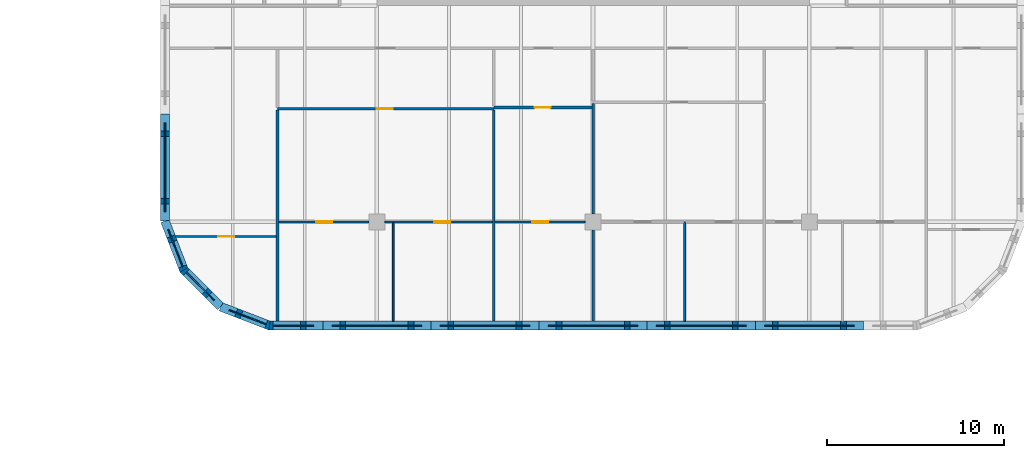
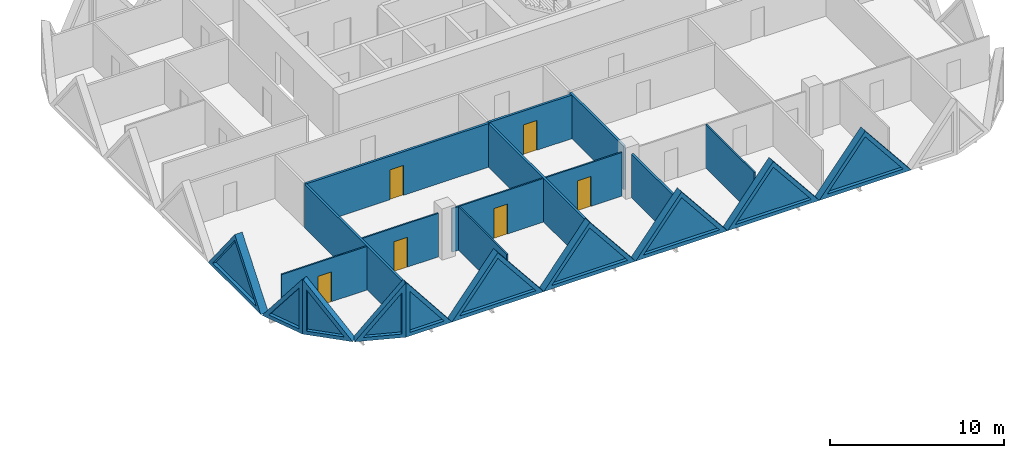
# One storey, part 11 of 19: 22 walls, 10 plates, 6 doors, 16 openings.
"""IFC4 building model written with IfcOpenShell, lengths in metres."""

from ifc_helpers import new_model, si_unit, direction, frame, frame_2d, origin, place, context, subcontext, project, spatial, polyline, rectangle, outline, extrude, faceted_brep, source, transform, mapped, material, layer, layer_set, type_object, element, fill, save


model = new_model("IFC4")

# Units and contexts
model_context = context("Model", 3, precision=1e-05, world=origin(), true_north=direction((0.0, 1.0)))
body_context = subcontext(model_context, "Body", "Model", "MODEL_VIEW")
ifc_project = project(units=[si_unit("LENGTHUNIT", "METRE"), si_unit("AREAUNIT", "SQUARE_METRE"), si_unit("VOLUMEUNIT", "CUBIC_METRE"), si_unit("PLANEANGLEUNIT", "RADIAN"), si_unit("MASSUNIT", "GRAM", prefix="KILO")], contexts=[model_context])

# Site, building, storey
site_placement = place(None, origin())
site = spatial("IfcSite", under=ifc_project, at=site_placement, CompositionType="ELEMENT")
building_placement = place(site_placement, origin())
building = spatial("IfcBuilding", under=site, at=building_placement, Name="Tessera Gate Towers", CompositionType="ELEMENT")
storey_placement = place(building_placement, frame((0.0, 0.0, 25.800048828125)))
storey = spatial("IfcBuildingStorey", under=building, at=storey_placement, Name="L05", CompositionType="ELEMENT", Elevation=25.800048828125)

# Walls
ifc_material_1 = material(Name="Gypsum board on steel studs", Category="steel")
ifc_layer_1 = layer(ifc_material_1, 0.10009765625)
ifc_layer_set_1 = layer_set([ifc_layer_1], Name="PARTITION 100")
wall_type_1 = type_object("IfcWallType", Name="PARTITION 100", PredefinedType="PARTITIONING", material=ifc_layer_set_1)
wall_1_placement = place(storey_placement, frame((98.527099609375, 18.800048828125, 0.0), z_axis=(0.0, 0.0, 1.0), x_axis=(0.0, 1.0, 0.0)))
element("IfcWall", 1, at=wall_1_placement, inside=storey, type_object=wall_type_1, Name="T2-L05-PW-002", PredefinedType="PARTITIONING", context=body_context, shape_type="SweptSolid", body=[
    extrude(rectangle(XDim=5.549072265625, YDim=0.10009765625, at=frame_2d((2.7744140625, 0.0))), origin(), (0.0, 0.0, 1.0), 3.06689453125),
])
wall_2_placement = place(storey_placement, frame((114.962890625, 18.800048828125, 0.0), z_axis=(0.0, 0.0, 1.0), x_axis=(0.0, 1.0, 0.0)))
element("IfcWall", 2, at=wall_2_placement, inside=storey, type_object=wall_type_1, Name="T2-L05-PW-005", PredefinedType="PARTITIONING", context=body_context, shape_type="SweptSolid", body=[
    extrude(rectangle(XDim=5.599853515625, YDim=0.10009765625, at=frame_2d((2.7998046875, 0.0))), origin(), (0.0, 0.0, 1.0), 3.06689453125),
])

# Wall, opening, door
wall_3_placement = place(storey_placement, frame((91.924072265625, 23.574951171875, 0.0), z_axis=(0.0, 0.0, 1.0), x_axis=(-1.0, 0.0, 0.0)))
wall_3 = element("IfcWall", 3, at=wall_3_placement, inside=storey, type_object=wall_type_1, Name="T2-L05-PW-009", PredefinedType="PARTITIONING", context=body_context, shape_type="SweptSolid", body=[
    extrude(rectangle(XDim=5.669921875, YDim=0.10009765625, at=frame_2d((2.8349609375, 0.0))), origin(), (0.0, 0.0, 1.0), 3.06689453125),
])
shared_shape_1 = source(origin(), body_context, "Body", "SweptSolid", [
    extrude(rectangle(XDim=0.89990234375, YDim=2.10009765625, at=frame_2d((0.449951171875, 1.050048828125))), frame((0.0, 0.06005859375, 0.0), z_axis=(0.0, -1.0, 0.0), x_axis=(1.0, 0.0, 0.0)), (0.0, 0.0, 1.0), 0.1201171875),
])
opening_1_placement = place(wall_3_placement, frame((2.369873046875, 0.0, 0.0)))
opening_1 = element("IfcOpeningElement", 4, at=opening_1_placement, cuts=wall_3, Name="Opening D190-B03-13", PredefinedType="OPENING", context=body_context, shape_type="MappedRepresentation", body=[
    mapped(shared_shape_1, transform((0.0, 0.0, 0.0), scale=1.0)),
])
ifc_material_2 = material(Name="Timber door leaf in steel frame", Category="steel")
door_type = type_object("IfcDoorType", Name="INTERNAL DOOR 900 NOT RATED", OperationType="NOTDEFINED", PredefinedType="DOOR", material=ifc_material_2)
shared_shape_2 = source(origin(), body_context, "Body", "SweptSolid", [
    extrude(rectangle(XDim=0.89990234375, YDim=2.10009765625, at=frame_2d((0.449951171875, 1.050048828125))), frame((0.0, 0.02490234375, 0.0), z_axis=(0.0, -1.0, 0.0), x_axis=(1.0, 0.0, 0.0)), (0.0, 0.0, 1.0), 0.050048828125),
])
door_1_placement = place(opening_1_placement, origin())
door_1 = element("IfcDoor", 5, at=door_1_placement, inside=storey, type_object=door_type, Name="T2-L05-PD-017", OperationType="SINGLE_SWING_RIGHT", OverallHeight=2.10009765625, OverallWidth=0.89990234375, PredefinedType="DOOR", context=body_context, shape_type="MappedRepresentation", body=[
    mapped(shared_shape_2, transform((0.0, 0.0, 0.0), scale=1.0)),
])
fill(opening_1, door_1)

wall_4_placement = place(storey_placement, frame((97.14892578125, 24.39990234375, 0.0), z_axis=(0.0, 0.0, 1.0), x_axis=(-1.0, 0.0, 0.0)))
wall_4 = element("IfcWall", 6, at=wall_4_placement, inside=storey, type_object=wall_type_1, Name="T2-L05-PW-011", PredefinedType="PARTITIONING", context=body_context, shape_type="SweptSolid", body=[
    extrude(rectangle(XDim=5.072998046875, YDim=0.10009765625, at=frame_2d((2.53662109375, 0.0))), origin(), (0.0, 0.0, 1.0), 3.06689453125),
])
opening_2_placement = place(wall_4_placement, frame((2.072998046875, 0.0, 0.0)))
opening_2 = element("IfcOpeningElement", 7, at=opening_2_placement, cuts=wall_4, Name="Opening D190-B03-11", PredefinedType="OPENING", context=body_context, shape_type="MappedRepresentation", body=[
    mapped(shared_shape_1, transform((0.0, 0.0, 0.0), scale=1.0)),
])
door_2_placement = place(opening_2_placement, origin())
door_2 = element("IfcDoor", 8, at=door_2_placement, inside=storey, type_object=door_type, Name="T2-L05-PD-014", OperationType="SINGLE_SWING_RIGHT", OverallHeight=2.10009765625, OverallWidth=0.89990234375, PredefinedType="DOOR", context=body_context, shape_type="MappedRepresentation", body=[
    mapped(shared_shape_2, transform((0.0, 0.0, 0.0), scale=1.0)),
])
fill(opening_2, door_2)

wall_5_placement = place(storey_placement, frame((104.1240234375, 24.39990234375, 0.0), z_axis=(0.0, 0.0, 1.0), x_axis=(-1.0, 0.0, 0.0)))
wall_5 = element("IfcWall", 9, at=wall_5_placement, inside=storey, type_object=wall_type_1, Name="T2-L05-PW-012", PredefinedType="PARTITIONING", context=body_context, shape_type="SweptSolid", body=[
    extrude(rectangle(XDim=6.072998046875, YDim=0.10009765625, at=frame_2d((3.03662109375, 0.0))), origin(), (0.0, 0.0, 1.0), 3.06689453125),
])
opening_3_placement = place(wall_5_placement, frame((2.39599609375, 0.0, 0.0)))
opening_3 = element("IfcOpeningElement", 10, at=opening_3_placement, cuts=wall_5, Name="Opening D190-B03-12", PredefinedType="OPENING", context=body_context, shape_type="MappedRepresentation", body=[
    mapped(shared_shape_1, transform((0.0, 0.0, 0.0), scale=1.0)),
])
door_3_placement = place(opening_3_placement, origin())
door_3 = element("IfcDoor", 11, at=door_3_placement, inside=storey, type_object=door_type, Name="T2-L05-PD-015", OperationType="SINGLE_SWING_RIGHT", OverallHeight=2.10009765625, OverallWidth=0.89990234375, PredefinedType="DOOR", context=body_context, shape_type="MappedRepresentation", body=[
    mapped(shared_shape_2, transform((0.0, 0.0, 0.0), scale=1.0)),
])
fill(opening_3, door_3)

wall_6_placement = place(storey_placement, frame((109.34912109375, 24.39990234375, 0.0), z_axis=(0.0, 0.0, 1.0), x_axis=(-1.0, 0.0, 0.0)))
wall_6 = element("IfcWall", 12, at=wall_6_placement, inside=storey, type_object=wall_type_1, Name="T2-L05-PW-013", PredefinedType="PARTITIONING", context=body_context, shape_type="SweptSolid", body=[
    extrude(rectangle(XDim=5.0732421875, YDim=0.10009765625, at=frame_2d((2.53662109375, 0.0))), origin(), (0.0, 0.0, 1.0), 3.06689453125),
])
opening_4_placement = place(wall_6_placement, frame((2.072998046875, 0.0, 0.0)))
opening_4 = element("IfcOpeningElement", 13, at=opening_4_placement, cuts=wall_6, Name="Opening D190-B03-08", PredefinedType="OPENING", context=body_context, shape_type="MappedRepresentation", body=[
    mapped(shared_shape_1, transform((0.0, 0.0, 0.0), scale=1.0)),
])
door_4_placement = place(opening_4_placement, origin())
door_4 = element("IfcDoor", 14, at=door_4_placement, inside=storey, type_object=door_type, Name="T2-L05-PD-009", OperationType="SINGLE_SWING_RIGHT", OverallHeight=2.10009765625, OverallWidth=0.89990234375, PredefinedType="DOOR", context=body_context, shape_type="MappedRepresentation", body=[
    mapped(shared_shape_2, transform((0.0, 0.0, 0.0), scale=1.0)),
])
fill(opening_4, door_4)

# Walls
ifc_material_3 = material(Name="Gypsum board on steel studs, mineral wool", Category="steel")
ifc_layer_2 = layer(ifc_material_3, 0.14990234375)
ifc_layer_set_2 = layer_set([ifc_layer_2], Name="TENANCY WALL 150")
wall_type_2 = type_object("IfcWallType", Name="TENANCY WALL 150", PredefinedType="PARTITIONING", material=ifc_layer_set_2)
for number, where, z_axis, x_axis, name in (
    (15, (92.0, 18.800048828125, 0.0), (0.0, 0.0, 1.0), (0.0, 1.0, 0.0), "T2-L05-PW-001"),
    (16, (104.199951171875, 18.800048828125, 0.0), (0.0, 0.0, 1.0), (0.0, 1.0, 0.0), "T2-L05-PW-003"),
):
    element("IfcWall", number, at=place(storey_placement, frame(where, z_axis=z_axis, x_axis=x_axis)), inside=storey, type_object=wall_type_2, Name=name, PredefinedType="PARTITIONING", context=body_context, shape_type="SweptSolid", body=[
        extrude(rectangle(XDim=11.89892578125, YDim=0.14990234375, at=frame_2d((5.949462890625, 0.0))), origin(), (0.0, 0.0, 1.0), 3.06689453125),
    ])
wall_7_placement = place(storey_placement, frame((109.800048828125, 18.800048828125, 0.0), z_axis=(0.0, 0.0, 1.0), x_axis=(0.0, 1.0, 0.0)))
element("IfcWall", 17, at=wall_7_placement, inside=storey, type_object=wall_type_2, Name="T2-L05-PW-004", PredefinedType="PARTITIONING", context=body_context, shape_type="SweptSolid", body=[
    extrude(rectangle(XDim=5.14892578125, YDim=0.14990234375, at=frame_2d((2.574462890625, 0.0))), origin(), (0.0, 0.0, 1.0), 3.06689453125),
])
wall_8_placement = place(storey_placement, frame((109.800048828125, 24.85107421875, 0.0), z_axis=(0.0, 0.0, 1.0), x_axis=(0.0, 1.0, 0.0)))
element("IfcWall", 18, at=wall_8_placement, inside=storey, type_object=wall_type_2, Name="T2-L05-PW-019", PredefinedType="PARTITIONING", context=body_context, shape_type="SweptSolid", body=[
    extrude(rectangle(XDim=6.222900390625, YDim=0.14990234375, at=frame_2d((3.111328125, 0.0))), origin(), (0.0, 0.0, 1.0), 3.06689453125),
])

# Wall, opening, door
wall_9_placement = place(storey_placement, frame((104.199951171875, 30.77490234375, 0.0), z_axis=(0.0, 0.0, 1.0), x_axis=(-1.0, 0.0, 0.0)))
wall_9 = element("IfcWall", 19, at=wall_9_placement, inside=storey, type_object=wall_type_2, Name="T2-L05-PW-020", PredefinedType="PARTITIONING", context=body_context, shape_type="SweptSolid", body=[
    extrude(rectangle(XDim=12.199951171875, YDim=0.14990234375, at=frame_2d((6.10009765625, 0.0))), origin(), (0.0, 0.0, 1.0), 3.06689453125),
])
shared_shape_3 = source(origin(), body_context, "Body", "SweptSolid", [
    extrude(rectangle(XDim=0.89990234375, YDim=2.10009765625, at=frame_2d((0.449951171875, 1.050048828125))), frame((0.0, 0.0849609375, 0.0), z_axis=(0.0, -1.0, 0.0), x_axis=(1.0, 0.0, 0.0)), (0.0, 0.0, 1.0), 0.169921875),
])
opening_5_placement = place(wall_9_placement, frame((5.699951171875, 0.0, 0.0)))
opening_5 = element("IfcOpeningElement", 20, at=opening_5_placement, cuts=wall_9, Name="Opening D190-B03-17", PredefinedType="OPENING", context=body_context, shape_type="MappedRepresentation", body=[
    mapped(shared_shape_3, transform((0.0, 0.0, 0.0), scale=1.0)),
])
door_5_placement = place(opening_5_placement, origin())
door_5 = element("IfcDoor", 21, at=door_5_placement, inside=storey, type_object=door_type, Name="T2-L05-PD-027", OperationType="SINGLE_SWING_RIGHT", OverallHeight=2.10009765625, OverallWidth=0.89990234375, PredefinedType="DOOR", context=body_context, shape_type="MappedRepresentation", body=[
    mapped(shared_shape_2, transform((0.0, 0.0, 0.0), scale=1.0)),
])
fill(opening_5, door_5)

wall_10_placement = place(storey_placement, frame((109.72412109375, 30.85009765625, 0.0), z_axis=(0.0, 0.0, 1.0), x_axis=(-1.0, 0.0, 0.0)))
wall_10 = element("IfcWall", 22, at=wall_10_placement, inside=storey, type_object=wall_type_2, Name="T2-L05-PW-022", PredefinedType="PARTITIONING", context=body_context, shape_type="SweptSolid", body=[
    extrude(rectangle(XDim=5.523193359375, YDim=0.14990234375, at=frame_2d((2.76171875, 0.0))), origin(), (0.0, 0.0, 1.0), 3.06689453125),
])
opening_6_placement = place(wall_10_placement, frame((2.322998046875, 0.0, 0.0)))
opening_6 = element("IfcOpeningElement", 23, at=opening_6_placement, cuts=wall_10, Name="Opening D190-B03-10", PredefinedType="OPENING", context=body_context, shape_type="MappedRepresentation", body=[
    mapped(shared_shape_3, transform((0.0, 0.0, 0.0), scale=1.0)),
])
door_6_placement = place(opening_6_placement, origin())
door_6 = element("IfcDoor", 24, at=door_6_placement, inside=storey, type_object=door_type, Name="T2-L05-PD-013", OperationType="SINGLE_SWING_RIGHT", OverallHeight=2.10009765625, OverallWidth=0.89990234375, PredefinedType="DOOR", context=body_context, shape_type="MappedRepresentation", body=[
    mapped(shared_shape_2, transform((0.0, 0.0, 0.0), scale=1.0)),
])
fill(opening_6, door_6)

# Wall, opening, plate
ifc_material_4 = material(Name="Precast concrete C60/75 white", Category="concrete")
ifc_layer_3 = layer(ifc_material_4, 0.5)
ifc_layer_set_3 = layer_set([ifc_layer_3], Name="TS3 corner tessera")
wall_type_3 = type_object("IfcWallType", Name="TS3 corner tessera", PredefinedType="SOLIDWALL", material=ifc_layer_set_3)
shared_shape_4 = source(origin(), body_context, "Body", "Brep", [
    faceted_brep([(3.050048828125, -0.25, 0.0), (0.046630859375, -0.25, 3.800048828125), (0.0, -0.25, 3.739990234375), (0.0, -0.25, 0.0), (0.09326171875, 0.25, 3.7412109375), (3.050048828125, 0.25, 0.0), (0.09326171875, 0.25, 0.0), (0.046630859375, 0.0, 3.800048828125)], [[[0, 1, 2, 3]], [[4, 5, 6]], [[5, 4, 7, 1, 0]], [[2, 1, 7]], [[6, 5, 0, 3]], [[6, 3, 2, 7, 4]]]),
])
wall_11_placement = place(storey_placement, frame((91.5, 18.550048828125, 0.0), z_axis=(0.0, 0.0, 1.0), x_axis=(1.0, 0.0, 0.0)))
wall_11 = element("IfcWall", 25, at=wall_11_placement, inside=storey, type_object=wall_type_3, Name="Precast corner tessera T2 TS3-0049", PredefinedType="SOLIDWALL", context=body_context, shape_type="MappedRepresentation", body=[
    mapped(shared_shape_4, transform((0.0, 0.0, 0.0), scale=1.0)),
])
shared_shape_5 = source(origin(), body_context, "Body", "SweptSolid", [
    extrude(outline(polyline([(2.533935546875, 0.25), (0.24658203125, 3.143798828125), (0.24658203125, 0.25), (2.533935546875, 0.25)])), frame((0.0, 0.260009765625, 0.0), z_axis=(0.0, -1.0, 0.0), x_axis=(1.0, 0.0, 0.0)), (0.0, 0.0, 1.0), 0.52001953125),
])
opening_7_placement = place(wall_11_placement, origin())
opening_7 = element("IfcOpeningElement", 26, at=opening_7_placement, cuts=wall_11, Name="Opening T2-PL1-0068", PredefinedType="OPENING", context=body_context, shape_type="MappedRepresentation", body=[
    mapped(shared_shape_5, transform((0.0, 0.0, 0.0), scale=1.0)),
])
ifc_material_5 = material(Name="Low-e laminated glass", Category="glass")
ifc_layer_4 = layer(ifc_material_5, 0.06005859375)
ifc_layer_set_4 = layer_set([ifc_layer_4], Name="PL1 triangular pane")
plate_type = type_object("IfcPlateType", Name="PL1 triangular pane", PredefinedType="SHEET", material=ifc_layer_set_4)
shared_shape_6 = source(origin(), body_context, "Body", "SweptSolid", [
    extrude(outline(polyline([(2.533935546875, 0.25), (0.24658203125, 3.143798828125), (0.24658203125, 0.25), (2.533935546875, 0.25)])), frame((0.0, 0.030029296875, 0.0), z_axis=(0.0, -1.0, 0.0), x_axis=(1.0, 0.0, 0.0)), (0.0, 0.0, 1.0), 0.06005859375),
])
plate_1_placement = place(opening_7_placement, origin())
plate_1 = element("IfcPlate", 27, at=plate_1_placement, inside=storey, type_object=plate_type, Name="Glass pane T2 PL1-0068", PredefinedType="SHEET", context=body_context, shape_type="MappedRepresentation", body=[
    mapped(shared_shape_6, transform((0.0, 0.0, 0.0), scale=1.0)),
])
fill(opening_7, plate_1)

shared_shape_7 = source(origin(), body_context, "Body", "Brep", [
    faceted_brep([(2.9970703125, -0.25, 3.740966796875), (2.950439453125, -0.25, 3.800048828125), (0.0, -0.25, 0.0), (2.9970703125, -0.25, 0.0), (0.052978515625, 0.25, 0.068115234375), (2.904052734375, 0.25, 3.740234375), (2.904052734375, 0.25, 0.0), (0.052978515625, 0.25, 0.0), (2.950439453125, 0.00048828125, 3.800048828125), (0.0, 0.0, 0.0)], [[[0, 1, 2, 3]], [[4, 5, 6, 7]], [[8, 1, 0]], [[5, 4, 9, 2, 1, 8]], [[7, 6, 3, 2, 9]], [[7, 9, 4]], [[3, 6, 5, 8, 0]]]),
])
wall_12_placement = place(storey_placement, frame((88.793701171875, 19.61181640625, 0.0), z_axis=(0.0, 0.0, 1.0), x_axis=(0.933000876937, -0.359874094142, 0.0)))
wall_12 = element("IfcWall", 28, at=wall_12_placement, inside=storey, type_object=wall_type_3, Name="Precast corner tessera T2 TS3-0050", PredefinedType="SOLIDWALL", context=body_context, shape_type="MappedRepresentation", body=[
    mapped(shared_shape_7, transform((0.0, 0.0, 0.0), scale=1.0)),
])
shared_shape_8 = source(origin(), body_context, "Body", "SweptSolid", [
    extrude(outline(polyline([(2.75048828125, 3.134765625), (0.5107421875, 0.25), (2.75048828125, 0.25), (2.75048828125, 3.134765625)])), frame((0.0, 0.260009765625, 0.0), z_axis=(0.0, -1.0, 0.0), x_axis=(1.0, 0.0, 0.0)), (0.0, 0.0, 1.0), 0.52001953125),
])
opening_8_placement = place(wall_12_placement, origin())
opening_8 = element("IfcOpeningElement", 29, at=opening_8_placement, cuts=wall_12, Name="Opening T2-PL1-0069", PredefinedType="OPENING", context=body_context, shape_type="MappedRepresentation", body=[
    mapped(shared_shape_8, transform((0.0, 0.0, 0.0), scale=1.0)),
])
shared_shape_9 = source(origin(), body_context, "Body", "SweptSolid", [
    extrude(outline(polyline([(2.75048828125, 3.134765625), (0.5107421875, 0.25), (2.75048828125, 0.25), (2.75048828125, 3.134765625)])), frame((0.0, 0.030029296875, 0.0), z_axis=(0.0, -1.0, 0.0), x_axis=(1.0, 0.0, 0.0)), (0.0, 0.0, 1.0), 0.06005859375),
])
plate_2_placement = place(opening_8_placement, origin())
plate_2 = element("IfcPlate", 30, at=plate_2_placement, inside=storey, type_object=plate_type, Name="Glass pane T2 PL1-0069", PredefinedType="SHEET", context=body_context, shape_type="MappedRepresentation", body=[
    mapped(shared_shape_9, transform((0.0, 0.0, 0.0), scale=1.0)),
])
fill(opening_8, plate_2)

ifc_material_6 = material(Name="Precast concrete C60/75 white", Category="concrete")
ifc_layer_5 = layer(ifc_material_6, 0.5)
ifc_layer_set_5 = layer_set([ifc_layer_5], Name="TS2 half tessera")
wall_type_4 = type_object("IfcWallType", Name="TS2 half tessera", PredefinedType="SOLIDWALL", material=ifc_layer_set_5)
shared_shape_10 = source(origin(), body_context, "Body", "Brep", [
    faceted_brep([(6.099853515625, -0.25, 0.000244140625), (3.050048828125, -0.25, 3.800048828125), (0.0, -0.25, 0.0), (6.099853515625, -0.25, 0.0), (0.0, 0.25, 0.0), (3.050048828125, 0.25, 3.800048828125), (6.099853515625, 0.25, 0.000244140625), (6.099853515625, 0.25, 0.0)], [[[0, 1, 2, 3]], [[4, 5, 6, 7]], [[6, 5, 1, 0]], [[5, 4, 2, 1]], [[4, 7, 3, 2]], [[3, 7, 6, 0]]]),
])
wall_13_placement = place(storey_placement, frame((94.550048828125, 18.550048828125, 0.0), z_axis=(0.0, 0.0, 1.0), x_axis=(1.0, 0.0, 0.0)))
wall_13 = element("IfcWall", 31, at=wall_13_placement, inside=storey, type_object=wall_type_4, Name="Precast half tessera T2 TS2-0036", PredefinedType="SOLIDWALL", context=body_context, shape_type="MappedRepresentation", body=[
    mapped(shared_shape_10, transform((0.0, 0.0, 0.0), scale=1.0)),
])
shared_shape_11 = source(origin(), body_context, "Body", "SweptSolid", [
    extrude(outline(polyline([(5.578857421875, 0.25), (3.050048828125, 3.400634765625), (0.521240234375, 0.25), (5.578857421875, 0.25)])), frame((0.0, 0.260009765625, 0.0), z_axis=(0.0, -1.0, 0.0), x_axis=(1.0, 0.0, 0.0)), (0.0, 0.0, 1.0), 0.52001953125),
])
opening_9_placement = place(wall_13_placement, origin())
opening_9 = element("IfcOpeningElement", 32, at=opening_9_placement, cuts=wall_13, Name="Opening T2-PL1-0070", PredefinedType="OPENING", context=body_context, shape_type="MappedRepresentation", body=[
    mapped(shared_shape_11, transform((0.0, 0.0, 0.0), scale=1.0)),
])
shared_shape_12 = source(origin(), body_context, "Body", "SweptSolid", [
    extrude(outline(polyline([(5.578857421875, 0.25), (3.050048828125, 3.400634765625), (0.521240234375, 0.25), (5.578857421875, 0.25)])), frame((0.0, 0.030029296875, 0.0), z_axis=(0.0, -1.0, 0.0), x_axis=(1.0, 0.0, 0.0)), (0.0, 0.0, 1.0), 0.06005859375),
])
plate_3_placement = place(opening_9_placement, origin())
plate_3 = element("IfcPlate", 33, at=plate_3_placement, inside=storey, type_object=plate_type, Name="Glass pane T2 PL1-0070", PredefinedType="SHEET", context=body_context, shape_type="MappedRepresentation", body=[
    mapped(shared_shape_12, transform((0.0, 0.0, 0.0), scale=1.0)),
])
fill(opening_9, plate_3)

wall_14_placement = place(storey_placement, frame((112.85009765625, 18.550048828125, 0.0), z_axis=(0.0, 0.0, 1.0), x_axis=(1.0, 0.0, 0.0)))
wall_14 = element("IfcWall", 34, at=wall_14_placement, inside=storey, type_object=wall_type_4, Name="Precast half tessera T2 TS2-0039", PredefinedType="SOLIDWALL", context=body_context, shape_type="MappedRepresentation", body=[
    mapped(shared_shape_10, transform((0.0, 0.0, 0.0), scale=1.0)),
])
opening_10_placement = place(wall_14_placement, origin())
opening_10 = element("IfcOpeningElement", 35, at=opening_10_placement, cuts=wall_14, Name="Opening T2-PL1-0073", PredefinedType="OPENING", context=body_context, shape_type="MappedRepresentation", body=[
    mapped(shared_shape_11, transform((0.0, 0.0, 0.0), scale=1.0)),
])
plate_4_placement = place(opening_10_placement, origin())
plate_4 = element("IfcPlate", 36, at=plate_4_placement, inside=storey, type_object=plate_type, Name="Glass pane T2 PL1-0073", PredefinedType="SHEET", context=body_context, shape_type="MappedRepresentation", body=[
    mapped(shared_shape_12, transform((0.0, 0.0, 0.0), scale=1.0)),
])
fill(opening_10, plate_4)

shared_shape_13 = source(origin(), body_context, "Body", "SweptSolid", [
    extrude(outline(polyline([(6.10009765625, 0.0), (3.050048828125, 3.800048828125), (0.0, 0.0), (6.10009765625, 0.0)])), frame((0.0, 0.25, 0.0), z_axis=(0.0, -1.0, 0.0), x_axis=(1.0, 0.0, 0.0)), (0.0, 0.0, 1.0), 0.5),
])
wall_15_placement = place(storey_placement, frame((100.64990234375, 18.550048828125, 0.0), z_axis=(0.0, 0.0, 1.0), x_axis=(1.0, 0.0, 0.0)))
wall_15 = element("IfcWall", 37, at=wall_15_placement, inside=storey, type_object=wall_type_4, Name="Precast half tessera T2 TS2-0037", PredefinedType="SOLIDWALL", context=body_context, shape_type="MappedRepresentation", body=[
    mapped(shared_shape_13, transform((0.0, 0.0, 0.0), scale=1.0)),
])
opening_11_placement = place(wall_15_placement, origin())
opening_11 = element("IfcOpeningElement", 38, at=opening_11_placement, cuts=wall_15, Name="Opening T2-PL1-0071", PredefinedType="OPENING", context=body_context, shape_type="MappedRepresentation", body=[
    mapped(shared_shape_11, transform((0.0, 0.0, 0.0), scale=1.0)),
])
plate_5_placement = place(opening_11_placement, origin())
plate_5 = element("IfcPlate", 39, at=plate_5_placement, inside=storey, type_object=plate_type, Name="Glass pane T2 PL1-0071", PredefinedType="SHEET", context=body_context, shape_type="MappedRepresentation", body=[
    mapped(shared_shape_12, transform((0.0, 0.0, 0.0), scale=1.0)),
])
fill(opening_11, plate_5)

wall_16_placement = place(storey_placement, frame((106.75, 18.550048828125, 0.0), z_axis=(0.0, 0.0, 1.0), x_axis=(1.0, 0.0, 0.0)))
wall_16 = element("IfcWall", 40, at=wall_16_placement, inside=storey, type_object=wall_type_4, Name="Precast half tessera T2 TS2-0038", PredefinedType="SOLIDWALL", context=body_context, shape_type="MappedRepresentation", body=[
    mapped(shared_shape_13, transform((0.0, 0.0, 0.0), scale=1.0)),
])
opening_12_placement = place(wall_16_placement, origin())
opening_12 = element("IfcOpeningElement", 41, at=opening_12_placement, cuts=wall_16, Name="Opening T2-PL1-0072", PredefinedType="OPENING", context=body_context, shape_type="MappedRepresentation", body=[
    mapped(shared_shape_11, transform((0.0, 0.0, 0.0), scale=1.0)),
])
plate_6_placement = place(opening_12_placement, origin())
plate_6 = element("IfcPlate", 42, at=plate_6_placement, inside=storey, type_object=plate_type, Name="Glass pane T2 PL1-0072", PredefinedType="SHEET", context=body_context, shape_type="MappedRepresentation", body=[
    mapped(shared_shape_12, transform((0.0, 0.0, 0.0), scale=1.0)),
])
fill(opening_12, plate_6)

wall_17_placement = place(storey_placement, frame((118.949951171875, 18.550048828125, 0.0), z_axis=(0.0, 0.0, 1.0), x_axis=(1.0, 0.0, 0.0)))
wall_17 = element("IfcWall", 43, at=wall_17_placement, inside=storey, type_object=wall_type_4, Name="Precast half tessera T2 TS2-0040", PredefinedType="SOLIDWALL", context=body_context, shape_type="MappedRepresentation", body=[
    mapped(shared_shape_13, transform((0.0, 0.0, 0.0), scale=1.0)),
])
opening_13_placement = place(wall_17_placement, origin())
opening_13 = element("IfcOpeningElement", 44, at=opening_13_placement, cuts=wall_17, Name="Opening T2-PL1-0074", PredefinedType="OPENING", context=body_context, shape_type="MappedRepresentation", body=[
    mapped(shared_shape_11, transform((0.0, 0.0, 0.0), scale=1.0)),
])
plate_7_placement = place(opening_13_placement, origin())
plate_7 = element("IfcPlate", 45, at=plate_7_placement, inside=storey, type_object=plate_type, Name="Glass pane T2 PL1-0074", PredefinedType="SHEET", context=body_context, shape_type="MappedRepresentation", body=[
    mapped(shared_shape_12, transform((0.0, 0.0, 0.0), scale=1.0)),
])
fill(opening_13, plate_7)

shared_shape_14 = source(origin(), body_context, "Body", "Brep", [
    faceted_brep([(6.053466796875, -0.25, 0.0), (3.050048828125, -0.25, 3.800048828125), (0.0, -0.25, 0.0), (0.0, 0.25, 0.0), (3.050048828125, 0.25, 3.800048828125), (6.0068359375, 0.25, 0.058837890625), (6.0068359375, 0.25, 0.0), (6.053466796875, 0.0, 0.0)], [[[0, 1, 2]], [[3, 4, 5, 6]], [[5, 4, 1, 0, 7]], [[4, 3, 2, 1]], [[3, 6, 7, 0, 2]], [[7, 6, 5]]]),
])
wall_18_placement = place(storey_placement, frame((85.64990234375, 30.5, 0.0), z_axis=(0.0, 0.0, 1.0), x_axis=(0.0, -1.0, 0.0)))
wall_18 = element("IfcWall", 46, at=wall_18_placement, inside=storey, type_object=wall_type_4, Name="Precast half tessera T2 TS2-0053", PredefinedType="SOLIDWALL", context=body_context, shape_type="MappedRepresentation", body=[
    mapped(shared_shape_14, transform((0.0, 0.0, 0.0), scale=1.0)),
])
shared_shape_15 = source(origin(), body_context, "Body", "SweptSolid", [
    extrude(outline(polyline([(5.537109375, 0.25), (3.048583984375, 3.398681640625), (0.521240234375, 0.25), (5.537109375, 0.25)])), frame((0.0, 0.260009765625, 0.0), z_axis=(0.0, -1.0, 0.0), x_axis=(1.0, 0.0, 0.0)), (0.0, 0.0, 1.0), 0.52001953125),
])
opening_14_placement = place(wall_18_placement, origin())
opening_14 = element("IfcOpeningElement", 47, at=opening_14_placement, cuts=wall_18, Name="Opening T2-PL1-0099", PredefinedType="OPENING", context=body_context, shape_type="MappedRepresentation", body=[
    mapped(shared_shape_15, transform((0.0, 0.0, 0.0), scale=1.0)),
])
shared_shape_16 = source(origin(), body_context, "Body", "SweptSolid", [
    extrude(outline(polyline([(5.537109375, 0.25), (3.048583984375, 3.398681640625), (0.521240234375, 0.25), (5.537109375, 0.25)])), frame((0.0, 0.030029296875, 0.0), z_axis=(0.0, -1.0, 0.0), x_axis=(1.0, 0.0, 0.0)), (0.0, 0.0, 1.0), 0.06005859375),
])
plate_8_placement = place(opening_14_placement, origin())
plate_8 = element("IfcPlate", 48, at=plate_8_placement, inside=storey, type_object=plate_type, Name="Glass pane T2 PL1-0099", PredefinedType="SHEET", context=body_context, shape_type="MappedRepresentation", body=[
    mapped(shared_shape_16, transform((0.0, 0.0, 0.0), scale=1.0)),
])
fill(opening_14, plate_8)

shared_shape_17 = source(origin(), body_context, "Body", "Brep", [
    faceted_brep([(3.00341796875, -0.25, 3.731689453125), (2.950439453125, -0.25, 3.800048828125), (0.0, -0.25, 0.0), (3.00341796875, -0.25, 0.0), (0.046630859375, 0.25, 0.06005859375), (2.897705078125, 0.25, 3.73193359375), (2.897705078125, 0.25, 0.0), (0.046630859375, 0.25, 0.0), (2.950439453125, 0.00048828125, 3.800048828125), (0.0, 0.0, 0.0)], [[[0, 1, 2, 3]], [[4, 5, 6, 7]], [[8, 1, 0]], [[5, 4, 9, 2, 1, 8]], [[7, 6, 3, 2, 9]], [[7, 9, 4]], [[3, 6, 5, 8, 0]]]),
])
wall_19_placement = place(storey_placement, frame((85.64990234375, 24.446533203125, 0.0), z_axis=(0.0, 0.0, 1.0), x_axis=(0.35992665181, -0.932980602862, 0.0)))
wall_19 = element("IfcWall", 49, at=wall_19_placement, inside=storey, type_object=wall_type_3, Name="Precast corner tessera T2 TS3-0063", PredefinedType="SOLIDWALL", context=body_context, shape_type="MappedRepresentation", body=[
    mapped(shared_shape_17, transform((0.0, 0.0, 0.0), scale=1.0)),
])
opening_15_placement = place(wall_19_placement, origin())
opening_15 = element("IfcOpeningElement", 50, at=opening_15_placement, cuts=wall_19, Name="Opening T2-PL1-0100", PredefinedType="OPENING", context=body_context, shape_type="MappedRepresentation", body=[
    mapped(shared_shape_8, transform((0.0, 0.0, 0.0), scale=1.0)),
])
plate_9_placement = place(opening_15_placement, origin())
plate_9 = element("IfcPlate", 51, at=plate_9_placement, inside=storey, type_object=plate_type, Name="Glass pane T2 PL1-0100", PredefinedType="SHEET", context=body_context, shape_type="MappedRepresentation", body=[
    mapped(shared_shape_9, transform((0.0, 0.0, 0.0), scale=1.0)),
])
fill(opening_15, plate_9)

shared_shape_18 = source(origin(), body_context, "Body", "Brep", [
    faceted_brep([(2.9970703125, -0.25, 0.0), (0.052978515625, -0.25, 3.800048828125), (0.0, -0.25, 3.73193359375), (0.0, -0.25, 0.0), (0.10595703125, 0.25, 3.731689453125), (2.944091796875, 0.25, 0.068115234375), (2.944091796875, 0.25, 0.0), (0.10595703125, 0.25, 0.0), (0.052978515625, 0.0, 3.800048828125), (2.9970703125, 0.000244140625, 0.0)], [[[0, 1, 2, 3]], [[4, 5, 6, 7]], [[5, 4, 8, 1, 0, 9]], [[2, 1, 8]], [[7, 6, 9, 0, 3]], [[7, 3, 2, 8, 4]], [[9, 6, 5]]]),
])
wall_20_placement = place(storey_placement, frame((86.674560546875, 21.731201171875, 0.0), z_axis=(0.0, 0.0, 1.0), x_axis=(0.707106781187, -0.707106781187, 0.0)))
wall_20 = element("IfcWall", 52, at=wall_20_placement, inside=storey, type_object=wall_type_3, Name="Precast corner tessera T2 TS3-0064", PredefinedType="SOLIDWALL", context=body_context, shape_type="MappedRepresentation", body=[
    mapped(shared_shape_18, transform((0.0, 0.0, 0.0), scale=1.0)),
])
shared_shape_19 = source(origin(), body_context, "Body", "SweptSolid", [
    extrude(outline(polyline([(2.487060546875, 0.25), (0.2529296875, 3.133544921875), (0.2529296875, 0.25), (2.487060546875, 0.25)])), frame((0.0, 0.260009765625, 0.0), z_axis=(0.0, -1.0, 0.0), x_axis=(1.0, 0.0, 0.0)), (0.0, 0.0, 1.0), 0.52001953125),
])
opening_16_placement = place(wall_20_placement, origin())
opening_16 = element("IfcOpeningElement", 53, at=opening_16_placement, cuts=wall_20, Name="Opening T2-PL1-0101", PredefinedType="OPENING", context=body_context, shape_type="MappedRepresentation", body=[
    mapped(shared_shape_19, transform((0.0, 0.0, 0.0), scale=1.0)),
])
shared_shape_20 = source(origin(), body_context, "Body", "SweptSolid", [
    extrude(outline(polyline([(2.487060546875, 0.25), (0.2529296875, 3.133544921875), (0.2529296875, 0.25), (2.487060546875, 0.25)])), frame((0.0, 0.030029296875, 0.0), z_axis=(0.0, -1.0, 0.0), x_axis=(1.0, 0.0, 0.0)), (0.0, 0.0, 1.0), 0.06005859375),
])
plate_10_placement = place(opening_16_placement, origin())
plate_10 = element("IfcPlate", 54, at=plate_10_placement, inside=storey, type_object=plate_type, Name="Glass pane T2 PL1-0101", PredefinedType="SHEET", context=body_context, shape_type="MappedRepresentation", body=[
    mapped(shared_shape_20, transform((0.0, 0.0, 0.0), scale=1.0)),
])
fill(opening_16, plate_10)

save(model, "model.ifc")
